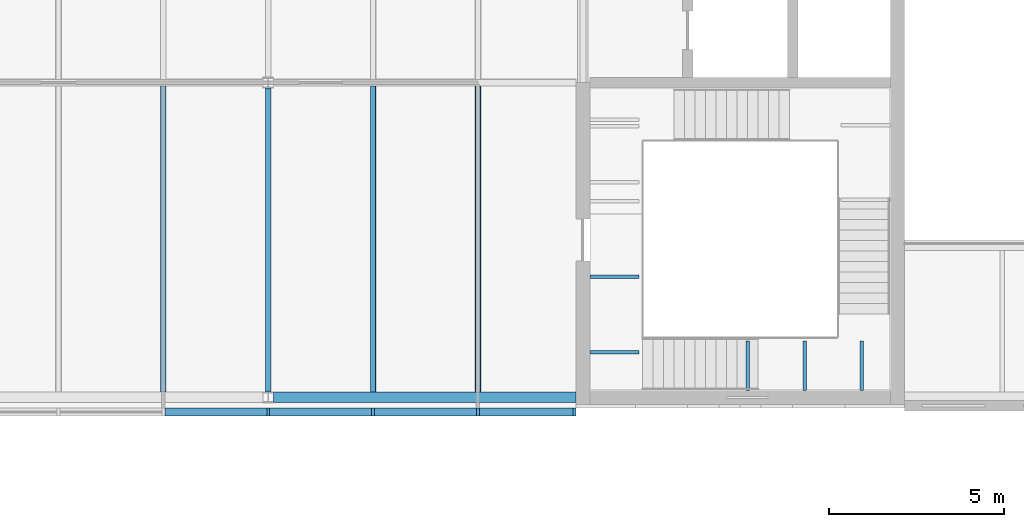
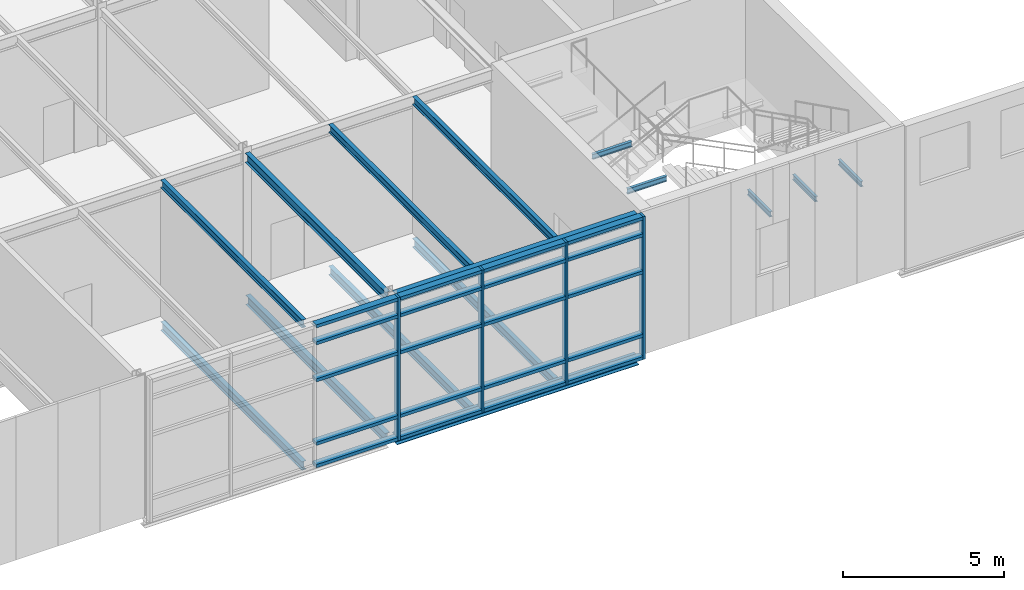
# One storey, part 14 of 46: 24 members, 15 beams, 1 element without a shape of its own.
"""IFC4 building model written with IfcOpenShell, lengths in metres."""

from ifc_helpers import new_model, si_unit, direction, frame, origin, origin_2d, place, context, subcontext, project, spatial, rectangle, i_section, extrude, material, material_profile, profile_set, type_object, element, aggregate, save


model = new_model("IFC4")

# Units and contexts
model_context = context("Model", 3, precision=1e-05, world=origin(), true_north=direction((0.0, 1.0)))
body_context = subcontext(model_context, "Body", "Model", "MODEL_VIEW")
ifc_project = project(units=[si_unit("LENGTHUNIT", "METRE"), si_unit("AREAUNIT", "SQUARE_METRE"), si_unit("VOLUMEUNIT", "CUBIC_METRE"), si_unit("PLANEANGLEUNIT", "RADIAN"), si_unit("MASSUNIT", "GRAM", prefix="KILO")], contexts=[model_context])

# Site, building, storey
site_placement = place(None, origin())
site = spatial("IfcSite", under=ifc_project, at=site_placement, CompositionType="ELEMENT")
building_placement = place(site_placement, origin())
building = spatial("IfcBuilding", under=site, at=building_placement, Name="Azimuth Sports and Learning Centre", CompositionType="ELEMENT")
storey_placement = place(building_placement, frame((0.0, 0.0, 21.60009765625)))
storey = spatial("IfcBuildingStorey", under=building, at=storey_placement, Name="L04", CompositionType="ELEMENT", Elevation=21.60009765625)

# Beams
ifc_material_1 = material(Name="Steel S355", Category="steel")
ifc_material_profile_1 = material_profile(ifc_material_1, i_section(OverallWidth=0.10009765625, OverallDepth=0.199951171875, WebThickness=0.005615234375, FlangeThickness=0.008544921875, FilletRadius=0.011962890625, at=origin_2d()), Name="IPE 200")
ifc_profile_set_1 = profile_set([ifc_material_profile_1], Name="Steel S355")
beam_type_1 = type_object("IfcBeamType", Name="Beam IPE 200", PredefinedType="BEAM", material=ifc_profile_set_1)
for number, where, z_axis, x_axis, name in (
    (1, (58.723388671875, 90.199951171875, 3.2998046875), (0.0, 1.0, 0.0), (-1.0, 0.0, 0.0), "Landing bracket W1 L04 39"),
    (2, (60.35009765625, 90.199951171875, 3.2998046875), (0.0, 1.0, 0.0), (-1.0, 0.0, 0.0), "Landing bracket W1 L04 40"),
    (3, (61.9765625, 90.199951171875, 3.2998046875), (0.0, 1.0, 0.0), (-1.0, 0.0, 0.0), "Landing bracket W1 L04 41"),
    (4, (54.199951171875, 91.288818359375, 5.099853515625), (1.0, 0.0, 0.0), (0.0, 1.0, 0.0), "Landing bracket W1 L04 42"),
    (5, (54.199951171875, 93.4462890625, 5.099853515625), (1.0, 0.0, 0.0), (0.0, 1.0, 0.0), "Landing bracket W1 L04 43"),
):
    element("IfcBeam", number, at=place(storey_placement, frame(where, z_axis=z_axis, x_axis=x_axis)), inside=storey, type_object=beam_type_1, Name=name, PredefinedType="BEAM", context=body_context, shape_type="SweptSolid", body=[
        extrude(i_section(OverallWidth=0.10009765625, OverallDepth=0.199951171875, WebThickness=0.005615234375, FlangeThickness=0.008544921875, FilletRadius=0.011962890625, at=origin_2d()), origin(), (0.0, 0.0, 1.0), 1.41015625),
    ])
ifc_material_2 = material(Name="Steel S355", Category="steel")
ifc_material_profile_2 = material_profile(ifc_material_2, i_section(OverallWidth=0.169921875, OverallDepth=0.360107421875, WebThickness=0.008056640625, FlangeThickness=0.0126953125, FilletRadius=0.01806640625, at=origin_2d()), Name="IPE 360")
ifc_profile_set_2 = profile_set([ifc_material_profile_2], Name="Steel S355")
beam_type_2 = type_object("IfcBeamType", Name="Beam IPE 360", PredefinedType="BEAM", material=ifc_profile_set_2)
beam_1_placement = place(storey_placement, frame((45.0, 90.179931640625, -0.330078125), z_axis=(0.0, 1.0, 0.0), x_axis=(-1.0, 0.0, 0.0)))
element("IfcBeam", 6, at=beam_1_placement, inside=storey, type_object=beam_type_2, Name="Beam L04 WW 23", PredefinedType="BEAM", context=body_context, shape_type="SweptSolid", body=[
    extrude(i_section(OverallWidth=0.169921875, OverallDepth=0.360107421875, WebThickness=0.008056640625, FlangeThickness=0.0126953125, FilletRadius=0.01806640625, at=origin_2d()), origin(), (0.0, 0.0, 1.0), 8.64013671875),
])
beam_2_placement = place(storey_placement, frame((45.0, 90.14990234375, 5.02001953125), z_axis=(0.0, 1.0, 0.0), x_axis=(-1.0, 0.0, 0.0)))
element("IfcBeam", 7, at=beam_2_placement, inside=storey, type_object=beam_type_2, Name="Beam L04 TE 23", PredefinedType="BEAM", context=body_context, shape_type="SweptSolid", body=[
    extrude(i_section(OverallWidth=0.169921875, OverallDepth=0.360107421875, WebThickness=0.008056640625, FlangeThickness=0.0126953125, FilletRadius=0.01806640625, at=origin_2d()), origin(), (0.0, 0.0, 1.0), 8.7001953125),
])
ifc_material_3 = material(Name="Steel S355", Category="steel")
ifc_material_profile_3 = material_profile(ifc_material_3, i_section(OverallWidth=0.300048828125, OverallDepth=0.2900390625, WebThickness=0.008544921875, FlangeThickness=0.013916015625, FilletRadius=0.027099609375, at=origin_2d()), Name="HEA 300")
ifc_profile_set_3 = profile_set([ifc_material_profile_3], Name="Steel S355")
beam_type_3 = type_object("IfcBeamType", Name="Edge beam HEA 300", PredefinedType="SPANDREL", material=ifc_profile_set_3)
beam_3_placement = place(storey_placement, frame((45.14990234375, 90.0, 5.054931640625), z_axis=(1.0, 0.0, 0.0), x_axis=(0.0, 1.0, 0.0)))
element("IfcBeam", 8, at=beam_3_placement, inside=storey, type_object=beam_type_3, Name="Edge beam L04 TE 4", PredefinedType="SPANDREL", context=body_context, shape_type="SweptSolid", body=[
    extrude(i_section(OverallWidth=0.300048828125, OverallDepth=0.2900390625, WebThickness=0.008544921875, FlangeThickness=0.013916015625, FilletRadius=0.027099609375, at=origin_2d()), origin(), (0.0, 0.0, 1.0), 8.650146484375),
])
ifc_material_4 = material(Name="Steel S355", Category="steel")
ifc_material_profile_4 = material_profile(ifc_material_4, i_section(OverallWidth=0.300048828125, OverallDepth=0.31005859375, WebThickness=0.009033203125, FlangeThickness=0.015380859375, FilletRadius=0.027099609375, at=origin_2d()), Name="HEA 320")
ifc_profile_set_4 = profile_set([ifc_material_profile_4], Name="Steel S355")
beam_type_4 = type_object("IfcBeamType", Name="Edge beam HEA 320", PredefinedType="SPANDREL", material=ifc_profile_set_4)
beam_4_placement = place(storey_placement, frame((45.14990234375, 90.0, -0.30517578125), z_axis=(1.0, 0.0, 0.0), x_axis=(0.0, 1.0, 0.0)))
element("IfcBeam", 9, at=beam_4_placement, inside=storey, type_object=beam_type_4, Name="Edge beam L04 WW 4", PredefinedType="SPANDREL", context=body_context, shape_type="SweptSolid", body=[
    extrude(i_section(OverallWidth=0.300048828125, OverallDepth=0.31005859375, WebThickness=0.009033203125, FlangeThickness=0.015380859375, FilletRadius=0.027099609375, at=origin_2d()), origin(), (0.0, 0.0, 1.0), 8.650146484375),
])
ifc_material_5 = material(Name="Steel S355", Category="steel")
ifc_material_profile_5 = material_profile(ifc_material_5, i_section(OverallWidth=0.14990234375, OverallDepth=0.300048828125, WebThickness=0.007080078125, FlangeThickness=0.0107421875, FilletRadius=0.014892578125, at=origin_2d()), Name="IPE 300")
ifc_profile_set_5 = profile_set([ifc_material_profile_5], Name="Steel S355")
beam_type_5 = type_object("IfcBeamType", Name="Joist IPE 300", PredefinedType="JOIST", material=ifc_profile_set_5)
for number, where, z_axis, x_axis, name in (
    (10, (42.0, 90.14990234375, 5.0498046875), (0.0, 1.0, 0.0), (-1.0, 0.0, 0.0), "Joist L04 TE 53"),
    (11, (48.0, 90.14990234375, 5.0498046875), (0.0, 1.0, 0.0), (-1.0, 0.0, 0.0), "Joist L04 TE 56"),
    (12, (51.0, 90.14990234375, 5.0498046875), (0.0, 1.0, 0.0), (-1.0, 0.0, 0.0), "Joist L04 TE 59"),
):
    element("IfcBeam", number, at=place(storey_placement, frame(where, z_axis=z_axis, x_axis=x_axis)), inside=storey, type_object=beam_type_5, Name=name, PredefinedType="JOIST", context=body_context, shape_type="SweptSolid", body=[
        extrude(i_section(OverallWidth=0.14990234375, OverallDepth=0.300048828125, WebThickness=0.007080078125, FlangeThickness=0.0107421875, FilletRadius=0.014892578125, at=origin_2d()), origin(), (0.0, 0.0, 1.0), 8.755126953125),
    ])
ifc_material_6 = material(Name="Steel S355", Category="steel")
ifc_material_profile_6 = material_profile(ifc_material_6, i_section(OverallWidth=0.159912109375, OverallDepth=0.330078125, WebThickness=0.007568359375, FlangeThickness=0.011474609375, FilletRadius=0.01806640625, at=origin_2d()), Name="IPE 330")
ifc_profile_set_6 = profile_set([ifc_material_profile_6], Name="Steel S355")
beam_type_6 = type_object("IfcBeamType", Name="Joist IPE 330", PredefinedType="JOIST", material=ifc_profile_set_6)
for number, where, z_axis, x_axis, name in (
    (13, (42.0, 90.14990234375, -0.315185546875), (0.0, 1.0, 0.0), (-1.0, 0.0, 0.0), "Joist L04 WW 45"),
    (14, (48.0, 90.14990234375, -0.315185546875), (0.0, 1.0, 0.0), (-1.0, 0.0, 0.0), "Joist L04 WW 48"),
    (15, (51.0, 90.14990234375, -0.315185546875), (0.0, 1.0, 0.0), (-1.0, 0.0, 0.0), "Joist L04 WW 51"),
):
    element("IfcBeam", number, at=place(storey_placement, frame(where, z_axis=z_axis, x_axis=x_axis)), inside=storey, type_object=beam_type_6, Name=name, PredefinedType="JOIST", context=body_context, shape_type="SweptSolid", body=[
        extrude(i_section(OverallWidth=0.159912109375, OverallDepth=0.330078125, WebThickness=0.007568359375, FlangeThickness=0.011474609375, FilletRadius=0.01806640625, at=origin_2d()), origin(), (0.0, 0.0, 1.0), 8.75),
    ])

# Curtain wall, members
ifc_material_7 = material(Name="Aluminium and glass", Category="aluminium")
curtain_wall_type = type_object("IfcCurtainWallType", Name="Curtain wall podium wing 240", PredefinedType="NOTDEFINED", material=ifc_material_7)
curtain_wall_placement = place(storey_placement, origin())
curtain_wall = element("IfcCurtainWall", 16, at=curtain_wall_placement, inside=storey, type_object=curtain_wall_type, Name="Curtain wall CW04-002", PredefinedType="NOTDEFINED")
ifc_material_8 = material(Name="Aluminium", Category="aluminium")
ifc_material_profile_7 = material_profile(ifc_material_8, rectangle(XDim=0.239990234375, YDim=0.080078125, at=origin_2d()), Name="Mullion 80x240")
ifc_profile_set_7 = profile_set([ifc_material_profile_7], Name="Aluminium")
member_type_1 = type_object("IfcMemberType", Name="Mullion 80x240", PredefinedType="MULLION", material=ifc_profile_set_7)
member_1_placement = place(storey_placement, frame((45.0, 89.580078125, 0.0), z_axis=(0.0, 0.0, 1.0), x_axis=(0.0, 1.0, 0.0)))
member_1 = element("IfcMember", 17, at=member_1_placement, type_object=member_type_1, Name="CW04-002 mullion 4", PredefinedType="MULLION", context=body_context, shape_type="SweptSolid", body=[
    extrude(rectangle(XDim=0.239990234375, YDim=0.080078125, at=origin_2d()), origin(), (0.0, 0.0, 1.0), 5.39990234375),
])
member_2_placement = place(storey_placement, frame((48.0, 89.580078125, 0.0), z_axis=(0.0, 0.0, 1.0), x_axis=(0.0, 1.0, 0.0)))
member_2 = element("IfcMember", 18, at=member_2_placement, type_object=member_type_1, Name="CW04-002 mullion 5", PredefinedType="MULLION", context=body_context, shape_type="SweptSolid", body=[
    extrude(rectangle(XDim=0.239990234375, YDim=0.080078125, at=origin_2d()), origin(), (0.0, 0.0, 1.0), 5.39990234375),
])
member_3_placement = place(storey_placement, frame((51.0, 89.580078125, 0.0), z_axis=(0.0, 0.0, 1.0), x_axis=(0.0, 1.0, 0.0)))
member_3 = element("IfcMember", 19, at=member_3_placement, type_object=member_type_1, Name="CW04-002 mullion 6", PredefinedType="MULLION", context=body_context, shape_type="SweptSolid", body=[
    extrude(rectangle(XDim=0.239990234375, YDim=0.080078125, at=origin_2d()), origin(), (0.0, 0.0, 1.0), 5.39990234375),
])
member_4_placement = place(storey_placement, frame((53.760009765625, 89.580078125, 0.0), z_axis=(0.0, 0.0, 1.0), x_axis=(0.0, 1.0, 0.0)))
member_4 = element("IfcMember", 20, at=member_4_placement, type_object=member_type_1, Name="CW04-002 mullion 7", PredefinedType="MULLION", context=body_context, shape_type="SweptSolid", body=[
    extrude(rectangle(XDim=0.239990234375, YDim=0.080078125, at=origin_2d()), origin(), (0.0, 0.0, 1.0), 5.39990234375),
])
ifc_material_9 = material(Name="Aluminium", Category="aluminium")
ifc_material_profile_8 = material_profile(ifc_material_9, rectangle(XDim=0.239990234375, YDim=0.1201171875, at=origin_2d()), Name="Transom 120x240")
ifc_profile_set_8 = profile_set([ifc_material_profile_8], Name="Aluminium")
member_type_2 = type_object("IfcMemberType", Name="Transom 120x240", PredefinedType="USERDEFINED", material=ifc_profile_set_8)
member_5_placement = place(storey_placement, frame((42.0400390625, 89.580078125, 0.059814453125), z_axis=(1.0, 0.0, 0.0), x_axis=(0.0, 1.0, 0.0)))
member_5 = element("IfcMember", 21, at=member_5_placement, type_object=member_type_2, Name="CW04-002 transom 3.1", ObjectType="TRANSOM", PredefinedType="USERDEFINED", context=body_context, shape_type="SweptSolid", body=[
    extrude(rectangle(XDim=0.239990234375, YDim=0.1201171875, at=origin_2d()), origin(), (0.0, 0.0, 1.0), 2.919921875),
])
member_6_placement = place(storey_placement, frame((42.0400390625, 89.580078125, 0.89990234375), z_axis=(1.0, 0.0, 0.0), x_axis=(0.0, 1.0, 0.0)))
member_6 = element("IfcMember", 22, at=member_6_placement, type_object=member_type_2, Name="CW04-002 transom 3.2", ObjectType="TRANSOM", PredefinedType="USERDEFINED", context=body_context, shape_type="SweptSolid", body=[
    extrude(rectangle(XDim=0.239990234375, YDim=0.1201171875, at=origin_2d()), origin(), (0.0, 0.0, 1.0), 2.919921875),
])
member_7_placement = place(storey_placement, frame((42.0400390625, 89.580078125, 3.2998046875), z_axis=(1.0, 0.0, 0.0), x_axis=(0.0, 1.0, 0.0)))
member_7 = element("IfcMember", 23, at=member_7_placement, type_object=member_type_2, Name="CW04-002 transom 3.3", ObjectType="TRANSOM", PredefinedType="USERDEFINED", context=body_context, shape_type="SweptSolid", body=[
    extrude(rectangle(XDim=0.239990234375, YDim=0.1201171875, at=origin_2d()), origin(), (0.0, 0.0, 1.0), 2.919921875),
])
member_8_placement = place(storey_placement, frame((42.0400390625, 89.580078125, 4.699951171875), z_axis=(1.0, 0.0, 0.0), x_axis=(0.0, 1.0, 0.0)))
member_8 = element("IfcMember", 24, at=member_8_placement, type_object=member_type_2, Name="CW04-002 transom 3.4", ObjectType="TRANSOM", PredefinedType="USERDEFINED", context=body_context, shape_type="SweptSolid", body=[
    extrude(rectangle(XDim=0.239990234375, YDim=0.1201171875, at=origin_2d()), origin(), (0.0, 0.0, 1.0), 2.919921875),
])
member_9_placement = place(storey_placement, frame((42.0400390625, 89.580078125, 5.33984375), z_axis=(1.0, 0.0, 0.0), x_axis=(0.0, 1.0, 0.0)))
member_9 = element("IfcMember", 25, at=member_9_placement, type_object=member_type_2, Name="CW04-002 transom 3.5", ObjectType="TRANSOM", PredefinedType="USERDEFINED", context=body_context, shape_type="SweptSolid", body=[
    extrude(rectangle(XDim=0.239990234375, YDim=0.1201171875, at=origin_2d()), origin(), (0.0, 0.0, 1.0), 2.919921875),
])
member_10_placement = place(storey_placement, frame((45.0400390625, 89.580078125, 0.059814453125), z_axis=(1.0, 0.0, 0.0), x_axis=(0.0, 1.0, 0.0)))
member_10 = element("IfcMember", 26, at=member_10_placement, type_object=member_type_2, Name="CW04-002 transom 4.1", ObjectType="TRANSOM", PredefinedType="USERDEFINED", context=body_context, shape_type="SweptSolid", body=[
    extrude(rectangle(XDim=0.239990234375, YDim=0.1201171875, at=origin_2d()), origin(), (0.0, 0.0, 1.0), 2.919921875),
])
member_11_placement = place(storey_placement, frame((45.0400390625, 89.580078125, 0.89990234375), z_axis=(1.0, 0.0, 0.0), x_axis=(0.0, 1.0, 0.0)))
member_11 = element("IfcMember", 27, at=member_11_placement, type_object=member_type_2, Name="CW04-002 transom 4.2", ObjectType="TRANSOM", PredefinedType="USERDEFINED", context=body_context, shape_type="SweptSolid", body=[
    extrude(rectangle(XDim=0.239990234375, YDim=0.1201171875, at=origin_2d()), origin(), (0.0, 0.0, 1.0), 2.919921875),
])
member_12_placement = place(storey_placement, frame((45.0400390625, 89.580078125, 3.2998046875), z_axis=(1.0, 0.0, 0.0), x_axis=(0.0, 1.0, 0.0)))
member_12 = element("IfcMember", 28, at=member_12_placement, type_object=member_type_2, Name="CW04-002 transom 4.3", ObjectType="TRANSOM", PredefinedType="USERDEFINED", context=body_context, shape_type="SweptSolid", body=[
    extrude(rectangle(XDim=0.239990234375, YDim=0.1201171875, at=origin_2d()), origin(), (0.0, 0.0, 1.0), 2.919921875),
])
member_13_placement = place(storey_placement, frame((45.0400390625, 89.580078125, 4.699951171875), z_axis=(1.0, 0.0, 0.0), x_axis=(0.0, 1.0, 0.0)))
member_13 = element("IfcMember", 29, at=member_13_placement, type_object=member_type_2, Name="CW04-002 transom 4.4", ObjectType="TRANSOM", PredefinedType="USERDEFINED", context=body_context, shape_type="SweptSolid", body=[
    extrude(rectangle(XDim=0.239990234375, YDim=0.1201171875, at=origin_2d()), origin(), (0.0, 0.0, 1.0), 2.919921875),
])
member_14_placement = place(storey_placement, frame((45.0400390625, 89.580078125, 5.33984375), z_axis=(1.0, 0.0, 0.0), x_axis=(0.0, 1.0, 0.0)))
member_14 = element("IfcMember", 30, at=member_14_placement, type_object=member_type_2, Name="CW04-002 transom 4.5", ObjectType="TRANSOM", PredefinedType="USERDEFINED", context=body_context, shape_type="SweptSolid", body=[
    extrude(rectangle(XDim=0.239990234375, YDim=0.1201171875, at=origin_2d()), origin(), (0.0, 0.0, 1.0), 2.919921875),
])
member_15_placement = place(storey_placement, frame((48.0400390625, 89.580078125, 0.059814453125), z_axis=(1.0, 0.0, 0.0), x_axis=(0.0, 1.0, 0.0)))
member_15 = element("IfcMember", 31, at=member_15_placement, type_object=member_type_2, Name="CW04-002 transom 5.1", ObjectType="TRANSOM", PredefinedType="USERDEFINED", context=body_context, shape_type="SweptSolid", body=[
    extrude(rectangle(XDim=0.239990234375, YDim=0.1201171875, at=origin_2d()), origin(), (0.0, 0.0, 1.0), 2.919921875),
])
member_16_placement = place(storey_placement, frame((48.0400390625, 89.580078125, 0.89990234375), z_axis=(1.0, 0.0, 0.0), x_axis=(0.0, 1.0, 0.0)))
member_16 = element("IfcMember", 32, at=member_16_placement, type_object=member_type_2, Name="CW04-002 transom 5.2", ObjectType="TRANSOM", PredefinedType="USERDEFINED", context=body_context, shape_type="SweptSolid", body=[
    extrude(rectangle(XDim=0.239990234375, YDim=0.1201171875, at=origin_2d()), origin(), (0.0, 0.0, 1.0), 2.919921875),
])
member_17_placement = place(storey_placement, frame((48.0400390625, 89.580078125, 3.2998046875), z_axis=(1.0, 0.0, 0.0), x_axis=(0.0, 1.0, 0.0)))
member_17 = element("IfcMember", 33, at=member_17_placement, type_object=member_type_2, Name="CW04-002 transom 5.3", ObjectType="TRANSOM", PredefinedType="USERDEFINED", context=body_context, shape_type="SweptSolid", body=[
    extrude(rectangle(XDim=0.239990234375, YDim=0.1201171875, at=origin_2d()), origin(), (0.0, 0.0, 1.0), 2.919921875),
])
member_18_placement = place(storey_placement, frame((48.0400390625, 89.580078125, 4.699951171875), z_axis=(1.0, 0.0, 0.0), x_axis=(0.0, 1.0, 0.0)))
member_18 = element("IfcMember", 34, at=member_18_placement, type_object=member_type_2, Name="CW04-002 transom 5.4", ObjectType="TRANSOM", PredefinedType="USERDEFINED", context=body_context, shape_type="SweptSolid", body=[
    extrude(rectangle(XDim=0.239990234375, YDim=0.1201171875, at=origin_2d()), origin(), (0.0, 0.0, 1.0), 2.919921875),
])
member_19_placement = place(storey_placement, frame((48.0400390625, 89.580078125, 5.33984375), z_axis=(1.0, 0.0, 0.0), x_axis=(0.0, 1.0, 0.0)))
member_19 = element("IfcMember", 35, at=member_19_placement, type_object=member_type_2, Name="CW04-002 transom 5.5", ObjectType="TRANSOM", PredefinedType="USERDEFINED", context=body_context, shape_type="SweptSolid", body=[
    extrude(rectangle(XDim=0.239990234375, YDim=0.1201171875, at=origin_2d()), origin(), (0.0, 0.0, 1.0), 2.919921875),
])
member_20_placement = place(storey_placement, frame((51.0400390625, 89.580078125, 0.059814453125), z_axis=(1.0, 0.0, 0.0), x_axis=(0.0, 1.0, 0.0)))
member_20 = element("IfcMember", 36, at=member_20_placement, type_object=member_type_2, Name="CW04-002 transom 6.1", ObjectType="TRANSOM", PredefinedType="USERDEFINED", context=body_context, shape_type="SweptSolid", body=[
    extrude(rectangle(XDim=0.239990234375, YDim=0.1201171875, at=origin_2d()), origin(), (0.0, 0.0, 1.0), 2.679931640625),
])
member_21_placement = place(storey_placement, frame((51.0400390625, 89.580078125, 0.89990234375), z_axis=(1.0, 0.0, 0.0), x_axis=(0.0, 1.0, 0.0)))
member_21 = element("IfcMember", 37, at=member_21_placement, type_object=member_type_2, Name="CW04-002 transom 6.2", ObjectType="TRANSOM", PredefinedType="USERDEFINED", context=body_context, shape_type="SweptSolid", body=[
    extrude(rectangle(XDim=0.239990234375, YDim=0.1201171875, at=origin_2d()), origin(), (0.0, 0.0, 1.0), 2.679931640625),
])
member_22_placement = place(storey_placement, frame((51.0400390625, 89.580078125, 3.2998046875), z_axis=(1.0, 0.0, 0.0), x_axis=(0.0, 1.0, 0.0)))
member_22 = element("IfcMember", 38, at=member_22_placement, type_object=member_type_2, Name="CW04-002 transom 6.3", ObjectType="TRANSOM", PredefinedType="USERDEFINED", context=body_context, shape_type="SweptSolid", body=[
    extrude(rectangle(XDim=0.239990234375, YDim=0.1201171875, at=origin_2d()), origin(), (0.0, 0.0, 1.0), 2.679931640625),
])
member_23_placement = place(storey_placement, frame((51.0400390625, 89.580078125, 4.699951171875), z_axis=(1.0, 0.0, 0.0), x_axis=(0.0, 1.0, 0.0)))
member_23 = element("IfcMember", 39, at=member_23_placement, type_object=member_type_2, Name="CW04-002 transom 6.4", ObjectType="TRANSOM", PredefinedType="USERDEFINED", context=body_context, shape_type="SweptSolid", body=[
    extrude(rectangle(XDim=0.239990234375, YDim=0.1201171875, at=origin_2d()), origin(), (0.0, 0.0, 1.0), 2.679931640625),
])
member_24_placement = place(storey_placement, frame((51.0400390625, 89.580078125, 5.33984375), z_axis=(1.0, 0.0, 0.0), x_axis=(0.0, 1.0, 0.0)))
member_24 = element("IfcMember", 40, at=member_24_placement, type_object=member_type_2, Name="CW04-002 transom 6.5", ObjectType="TRANSOM", PredefinedType="USERDEFINED", context=body_context, shape_type="SweptSolid", body=[
    extrude(rectangle(XDim=0.239990234375, YDim=0.1201171875, at=origin_2d()), origin(), (0.0, 0.0, 1.0), 2.679931640625),
])
aggregate(curtain_wall, [member_1, member_2, member_3, member_4, member_5, member_6, member_7, member_8, member_9, member_10, member_11, member_12, member_13, member_14, member_15, member_16, member_17, member_18, member_19, member_20, member_21, member_22, member_23, member_24])

save(model, "model.ifc")
